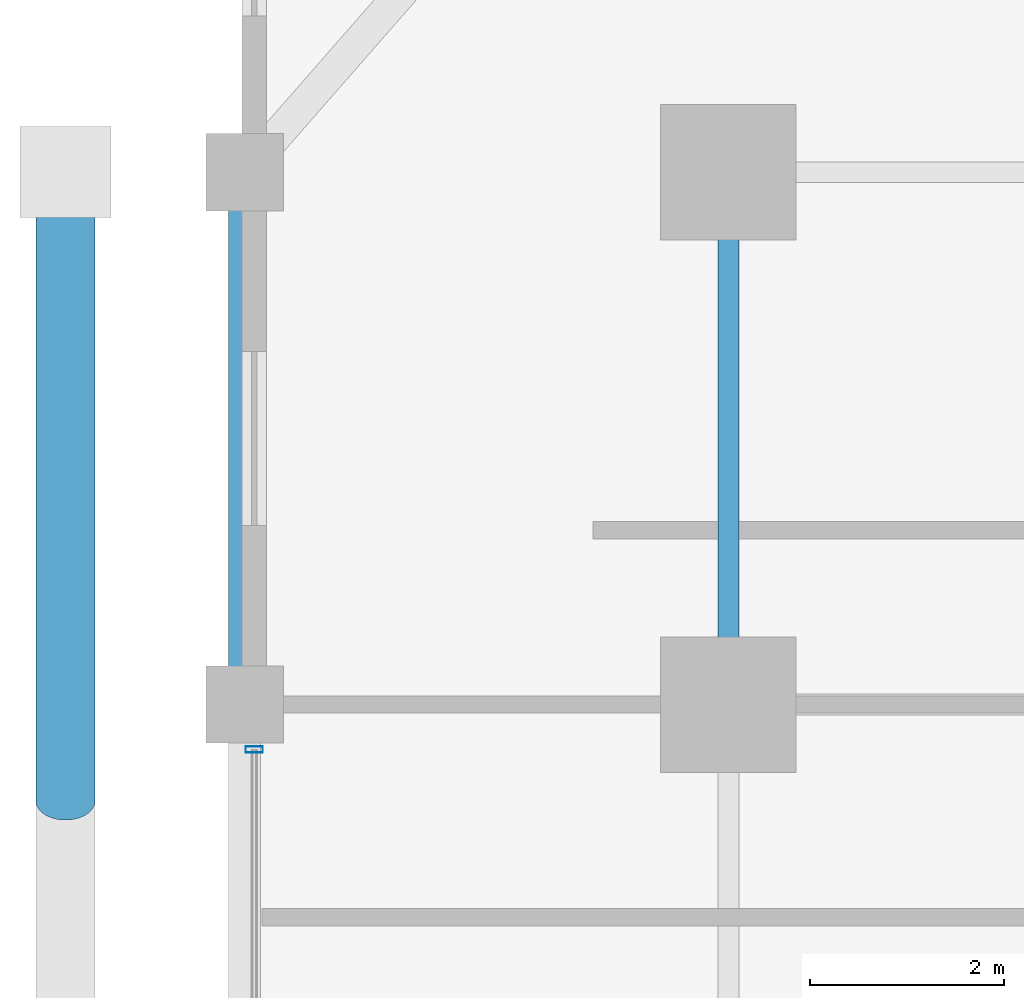
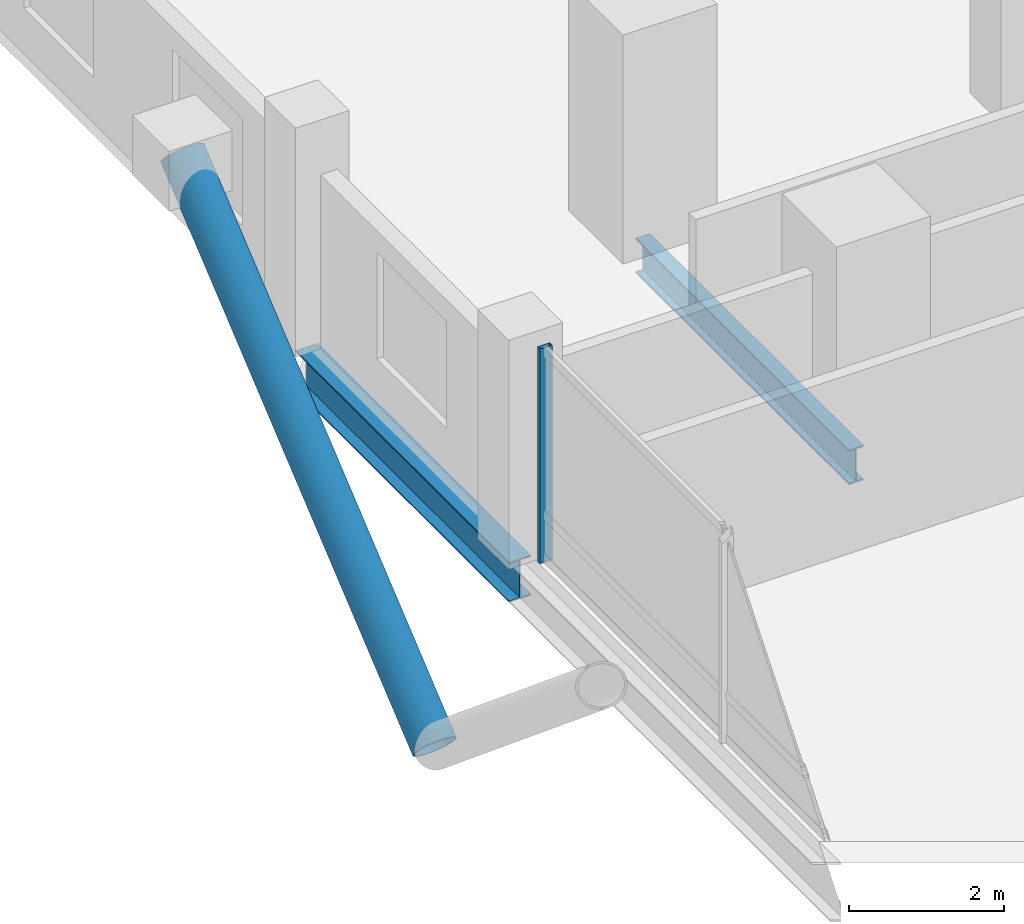
# One storey, part 11 of 21: 2 beams, 2 members, 1 element without a shape of its own.
"""IFC4 building model written with IfcOpenShell, lengths in metres."""

import ifcopenshell
import ifcopenshell.guid

model = None  # the IFC model being written
_history = None  # IfcOwnerHistory: only IFC2X3 demands one
_inside = {}  # id of a spatial element -> (the spatial element, [elements in it])
_under = {}  # id of a project, library or spatial element -> (it, [spatial elements below it])
_declared = {}  # id of a project -> (the project, [libraries it declares])
_typed = {}  # id of a type object -> (the type object, [elements of that type])
_made_of = {}  # id of a material, layer set ... -> (it, [elements and type objects made of it])


def new_model(schema):
    """Start an empty IFC model of exactly this schema.

    Asked for "IFC4X3", IfcOpenShell would pick the latest addendum, in which some entities
    have other attributes; the version numbers below select the first issue.
    IFC2X3 requires an IfcOwnerHistory on every rooted entity: one is made here for all.
    """
    global model, _history
    if schema == "IFC4X3":
        model = ifcopenshell.file(schema_version=(4, 3, 0, 0))
    else:
        model = ifcopenshell.file(schema=schema)
    _inside.clear()
    _under.clear()
    _declared.clear()
    _typed.clear()
    _made_of.clear()
    _history = None
    if model.schema == "IFC2X3":
        org = make("IfcOrganization", Name="unknown")
        user = make(
            "IfcPersonAndOrganization",
            ThePerson=make("IfcPerson", FamilyName="unknown"),
            TheOrganization=org,
        )
        app = make(
            "IfcApplication",
            ApplicationDeveloper=org,
            Version="unknown",
            ApplicationFullName="unknown",
            ApplicationIdentifier="unknown",
        )
        _history = make(
            "IfcOwnerHistory",
            OwningUser=user,
            OwningApplication=app,
            ChangeAction="ADDED",
            CreationDate=0,
        )
    return model


def make(cls, **values):
    """One entity of the class cls with the attributes given. An attribute that is None is left unset."""
    return model.create_entity(
        cls, **{name: value for name, value in values.items() if value is not None}
    )


def rooted(cls, **values):
    """An entity with a GlobalId (a new one), such as an element, a storey or a relation."""
    return make(cls, GlobalId=ifcopenshell.guid.new(), OwnerHistory=_history, **values)


def si_unit(unit_type, name, prefix=None):
    """IfcSIUnit, for example si_unit("LENGTHUNIT", "METRE", prefix="MILLI")."""
    return make("IfcSIUnit", UnitType=unit_type, Prefix=prefix, Name=name)


def assignment(units):
    """IfcUnitAssignment: the units of a project."""
    return None if units is None else make("IfcUnitAssignment", Units=units)


def point(xyz):
    """IfcCartesianPoint."""
    return None if xyz is None else make("IfcCartesianPoint", Coordinates=xyz)


def direction(xyz):
    """IfcDirection."""
    return None if xyz is None else make("IfcDirection", DirectionRatios=xyz)


def frame(location, z_axis=None, x_axis=None):
    """IfcAxis2Placement3D, a coordinate frame: its origin and axes. An axis left out is left unset."""
    return make(
        "IfcAxis2Placement3D",
        Location=point(location),
        Axis=direction(z_axis),
        RefDirection=direction(x_axis),
    )


def frame_2d(location, x_axis=None):
    """IfcAxis2Placement2D, a coordinate frame in the plane: its origin and x axis."""
    return make(
        "IfcAxis2Placement2D", Location=point(location), RefDirection=direction(x_axis)
    )


def origin():
    """The frame at (0, 0, 0) with its axes left unset."""
    return frame((0.0, 0.0, 0.0))


def origin_2d():
    """The frame at (0, 0) in the plane with its x axis left unset."""
    return frame_2d((0.0, 0.0))


def place(relative_to, where):
    """IfcLocalPlacement: puts the frame where relative to a parent placement (None: the world)."""
    return make(
        "IfcLocalPlacement", PlacementRelTo=relative_to, RelativePlacement=where
    )


def context(
    kind, dimensions, precision=None, world=None, true_north=None, identifier=None
):
    """IfcGeometricRepresentationContext, for example the 3D "Model" context."""
    return make(
        "IfcGeometricRepresentationContext",
        ContextIdentifier=identifier,
        ContextType=kind,
        CoordinateSpaceDimension=dimensions,
        Precision=precision,
        WorldCoordinateSystem=world,
        TrueNorth=true_north,
    )


def subcontext(parent, identifier, kind, view, scale=None):
    """IfcGeometricRepresentationSubContext, for example "Body" below "Model"."""
    return make(
        "IfcGeometricRepresentationSubContext",
        ContextIdentifier=identifier,
        ContextType=kind,
        ParentContext=parent,
        TargetScale=scale,
        TargetView=view,
    )


def project(units=None, contexts=None):
    """IfcProject with its units and contexts."""
    return rooted(
        "IfcProject",
        Name="project",
        RepresentationContexts=contexts,
        UnitsInContext=assignment(units),
    )


def spatial(cls, under=None, at=None, **own):
    """A site, building, storey or space (cls), placed at a placement, below another one or the project."""
    s = rooted(cls, ObjectPlacement=at, **own)
    if under is not None:
        _under.setdefault(under.id(), (under, []))[1].append(s)
    return s


def profile(cls, at=None, kind="AREA", **sizes):
    """A parametric profile (cls). Its sizes go by their IFC names, for example OverallWidth=200.0."""
    return make(cls, ProfileType=kind, Position=at, **sizes)


def hollow_rectangle(**sizes):
    """IfcRectangleHollowProfileDef."""
    return profile("IfcRectangleHollowProfileDef", **sizes)


def hollow_circle(**sizes):
    """IfcCircleHollowProfileDef."""
    return profile("IfcCircleHollowProfileDef", **sizes)


def i_section(**sizes):
    """IfcIShapeProfileDef."""
    return profile("IfcIShapeProfileDef", **sizes)


def extrude(swept, where, along, depth):
    """IfcExtrudedAreaSolid: the profile swept, set in the frame where, extruded along a direction by depth."""
    return make(
        "IfcExtrudedAreaSolid",
        SweptArea=swept,
        Position=where,
        ExtrudedDirection=direction(along),
        Depth=depth,
    )


def shape(context_of_items, identifier, shape_type, items):
    """IfcShapeRepresentation: the items that make up one representation, for example the "Body"."""
    return make(
        "IfcShapeRepresentation",
        ContextOfItems=context_of_items,
        RepresentationIdentifier=identifier,
        RepresentationType=shape_type,
        Items=items,
    )


def material(Name=None, Category=None):
    """IfcMaterial."""
    return make("IfcMaterial", Name=Name, Category=Category)


def layer(
    of_material, thickness, ventilated=None, Name=None, Category=None, Priority=None
):
    """IfcMaterialLayer: one layer of a wall or slab, of a material (None: an air gap)."""
    return make(
        "IfcMaterialLayer",
        Material=of_material,
        LayerThickness=thickness,
        IsVentilated=ventilated,
        Name=Name,
        Category=Category,
        Priority=Priority,
    )


def layer_set(layers, Name=None):
    """IfcMaterialLayerSet."""
    return make("IfcMaterialLayerSet", MaterialLayers=layers, LayerSetName=Name)


def material_profile(
    of_material, cross_section, Name=None, Category=None, Priority=None
):
    """IfcMaterialProfile: a cross section and its material."""
    return make(
        "IfcMaterialProfile",
        Name=Name,
        Material=of_material,
        Profile=cross_section,
        Priority=Priority,
        Category=Category,
    )


def profile_set(profiles, Name=None, composite=None):
    """IfcMaterialProfileSet."""
    return make(
        "IfcMaterialProfileSet",
        Name=Name,
        MaterialProfiles=profiles,
        CompositeProfile=composite,
    )


def made_of(thing, what):
    """Note that an element or type object is made of a material, layer set ...; save() writes the relation."""
    if what is not None:
        _made_of.setdefault(what.id(), (what, []))[1].append(thing)
    return thing


def type_object(cls, material=None, **own):
    """A type object (cls), such as IfcWallType, which elements share."""
    return made_of(rooted(cls, **own), material)


def element(
    cls,
    number,
    at=None,
    inside=None,
    cuts=None,
    type_object=None,
    material=None,
    context=None,
    identifier="Body",
    shape_type=None,
    held_by="IfcProductDefinitionShape",
    body=None,
    shapes=None,
    **own,
):
    """One element of the class cls, such as IfcWall. Its Tag is "e" and its number.

    at: its placement. inside: the storey or other place that contains it. cuts: it is an
    opening in that element (IfcRelVoidsElement). A single representation is given by context,
    identifier, shape_type and body (its items); several are given by shapes. held_by: the class
    of the entity that holds the representations. save() writes the other relations.
    """
    e = rooted(cls, Tag="e%d" % number, ObjectPlacement=at, **own)
    if body is not None:
        shapes = [shape(context, identifier, shape_type, body)]
    if shapes is not None:
        e.Representation = make(held_by, Representations=shapes)
    if inside is not None:
        _inside.setdefault(inside.id(), (inside, []))[1].append(e)
    if cuts is not None:
        rooted(
            "IfcRelVoidsElement", RelatingBuildingElement=cuts, RelatedOpeningElement=e
        )
    if type_object is not None:
        _typed.setdefault(type_object.id(), (type_object, []))[1].append(e)
    return made_of(e, material)


def aggregate(whole, parts):
    """IfcRelAggregates: a whole, such as a stair, and the parts it consists of."""
    return rooted("IfcRelAggregates", RelatingObject=whole, RelatedObjects=parts)


def save(model, path):
    """Write the relations noted so far, then the file.

    IfcRelAggregates (storeys below a building ...), IfcRelContainedInSpatialStructure (elements
    in a storey), IfcRelDefinesByType, IfcRelAssociatesMaterial and IfcRelDeclares: one each for
    every whole, place, type object, material and project.
    """
    for whole, parts in _under.values():
        aggregate(whole, parts)
    for where, things in _inside.values():
        rooted(
            "IfcRelContainedInSpatialStructure",
            RelatedElements=things,
            RelatingStructure=where,
        )
    for kind, things in _typed.values():
        rooted("IfcRelDefinesByType", RelatedObjects=things, RelatingType=kind)
    for what, things in _made_of.values():
        rooted("IfcRelAssociatesMaterial", RelatedObjects=things, RelatingMaterial=what)
    for by, libraries in _declared.values():
        rooted("IfcRelDeclares", RelatingContext=by, RelatedDefinitions=libraries)
    model.write(path)


model = new_model("IFC4")

# Units and contexts
model_context = context("Model", 3, precision=1e-05, world=origin(), true_north=direction((0.0, 1.0)))
body_context = subcontext(model_context, "Body", "Model", "MODEL_VIEW")
ifc_project = project(units=[si_unit("LENGTHUNIT", "METRE"), si_unit("AREAUNIT", "SQUARE_METRE"), si_unit("VOLUMEUNIT", "CUBIC_METRE"), si_unit("PLANEANGLEUNIT", "RADIAN"), si_unit("MASSUNIT", "GRAM", prefix="KILO")], contexts=[model_context])

# Site, building, storey
site_placement = place(None, origin())
site = spatial("IfcSite", under=ifc_project, at=site_placement, CompositionType="ELEMENT")
building_placement = place(site_placement, origin())
building = spatial("IfcBuilding", under=site, at=building_placement, Name="Barlavira Tower and Art Museum", CompositionType="ELEMENT")
storey_placement = place(building_placement, frame((0.0, 0.0, 79.199951171875)))
storey = spatial("IfcBuildingStorey", under=building, at=storey_placement, Name="L19", CompositionType="ELEMENT", Elevation=79.199951171875)

# Curtain wall, member
ifc_material_1 = material(Name="Low-iron coastal laminated glass", Category="glass")
ifc_layer = layer(ifc_material_1, 0.179931640625, Name="Low-iron coastal laminated glass")
ifc_layer_set = layer_set([ifc_layer], Name="Low-iron coastal laminated glass")
curtain_wall_type = type_object("IfcCurtainWallType", Name="Pale-Metal Unitised Curtain Wall Zone 1", PredefinedType="NOTDEFINED", material=ifc_layer_set)
curtain_wall_placement = place(storey_placement, origin())
curtain_wall = element("IfcCurtainWall", 1, at=curtain_wall_placement, inside=storey, type_object=curtain_wall_type, Name="L19 Curtain Wall CW1-L19-W-B3", PredefinedType="NOTDEFINED")
ifc_material_2 = material(Name="Pale anodised aluminium", Category="aluminium")
ifc_material_profile_1 = material_profile(ifc_material_2, hollow_rectangle(XDim=0.06494140625, YDim=0.179931640625, WallThickness=0.00390625, at=origin_2d()), Name="ALU-MULL 65x180x4")
ifc_profile_set_1 = profile_set([ifc_material_profile_1], Name="Pale anodised aluminium")
member_type_1 = type_object("IfcMemberType", Name="Curtain Wall Pale-Metal Mullion 65x180", PredefinedType="MULLION", material=ifc_profile_set_1)
member_1_placement = place(storey_placement, frame((-21.89990234375, 7.034912109375, 0.0), z_axis=(0.0, 0.0, 1.0), x_axis=(0.0, -1.0, 0.0)))
member_1 = element("IfcMember", 2, at=member_1_placement, type_object=member_type_1, Name="CW1-L19-W-B3 Mullion 0", PredefinedType="MULLION", context=body_context, shape_type="SweptSolid", body=[
    extrude(hollow_rectangle(XDim=0.06494140625, YDim=0.179931640625, WallThickness=0.00390625, at=origin_2d()), origin(), (0.0, 0.0, 1.0), 3.380126953125),
])
aggregate(curtain_wall, [member_1])

# Member
ifc_material_3 = material(Name="Steel S355", Category="steel")
ifc_material_profile_2 = material_profile(ifc_material_3, hollow_circle(Radius=0.304931640625, WallThickness=0.028076171875, at=origin_2d()), Name="CHS 610.0x28.0")
ifc_profile_set_2 = profile_set([ifc_material_profile_2], Name="Steel S355")
member_type_2 = type_object("IfcMemberType", Name="Pale-Metal Exoskeleton Diagrid Tube CHS 610x28 Steel S355", PredefinedType="BRACE", material=ifc_profile_set_2)
member_2_placement = place(storey_placement, frame((-23.85009765625, 6.5, -1.919921875), z_axis=(0.0, 0.769196053329, 0.639012857104), x_axis=(-1.0, 0.0, 0.0)))
element("IfcMember", 3, at=member_2_placement, inside=storey, type_object=member_type_2, Name="L19 Exoskeleton Diagrid Tube W", PredefinedType="BRACE", context=body_context, shape_type="SweptSolid", body=[
    extrude(hollow_circle(Radius=0.304931640625, WallThickness=0.028076171875, at=origin_2d()), origin(), (0.0, 0.0, 1.0), 8.450439453125),
])

# Beams
ifc_material_profile_3 = material_profile(ifc_material_3, i_section(OverallWidth=0.327880859375, OverallDepth=0.62890625, WebThickness=0.013916015625, FlangeThickness=0.021484375, at=origin_2d()), Name="W610x174.0")
ifc_profile_set_3 = profile_set([ifc_material_profile_3], Name="Steel S355")
beam_type_1 = type_object("IfcBeamType", Name="Perimeter Spandrel Edge Beam W610x174 Steel S355", PredefinedType="SPANDREL", material=ifc_profile_set_3)
beam_1_placement = place(storey_placement, frame((-22.0, 7.5, -0.534423828125), z_axis=(0.0, 1.0, 0.0), x_axis=(-1.0, 0.0, 0.0)))
element("IfcBeam", 4, at=beam_1_placement, inside=storey, type_object=beam_type_1, Name="L19 Spandrel 13", PredefinedType="SPANDREL", context=body_context, shape_type="SweptSolid", body=[
    extrude(i_section(OverallWidth=0.327880859375, OverallDepth=0.62890625, WebThickness=0.013916015625, FlangeThickness=0.021484375, at=origin_2d()), origin(), (0.0, 0.0, 1.0), 5.5),
])
ifc_material_profile_4 = material_profile(ifc_material_3, i_section(OverallWidth=0.214111328125, OverallDepth=0.549072265625, WebThickness=0.0146484375, FlangeThickness=0.023681640625, at=origin_2d()), Name="W530x138.0")
ifc_profile_set_4 = profile_set([ifc_material_profile_4], Name="Steel S355")
beam_type_2 = type_object("IfcBeamType", Name="Zone 1 Primary Floor Girder W530x138 Steel S355", PredefinedType="BEAM", material=ifc_profile_set_4)
beam_2_placement = place(storey_placement, frame((-17.0, 7.5, -0.494384765625), z_axis=(0.0, 1.0, 0.0), x_axis=(-1.0, 0.0, 0.0)))
element("IfcBeam", 5, at=beam_2_placement, inside=storey, type_object=beam_type_2, Name="L19 Girder M-W3", PredefinedType="BEAM", context=body_context, shape_type="SweptSolid", body=[
    extrude(i_section(OverallWidth=0.214111328125, OverallDepth=0.549072265625, WebThickness=0.0146484375, FlangeThickness=0.023681640625, at=origin_2d()), origin(), (0.0, 0.0, 1.0), 5.5),
])

save(model, "model.ifc")
